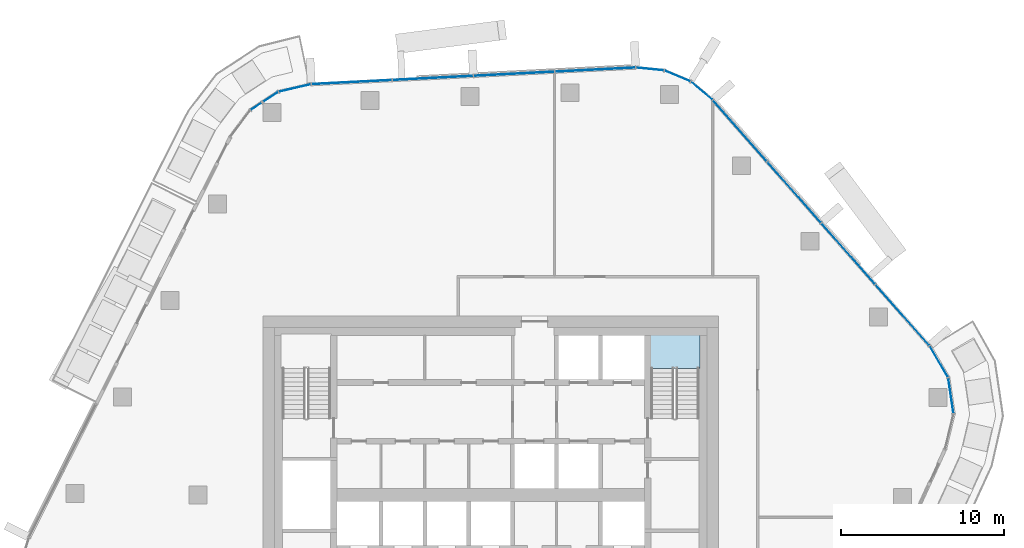
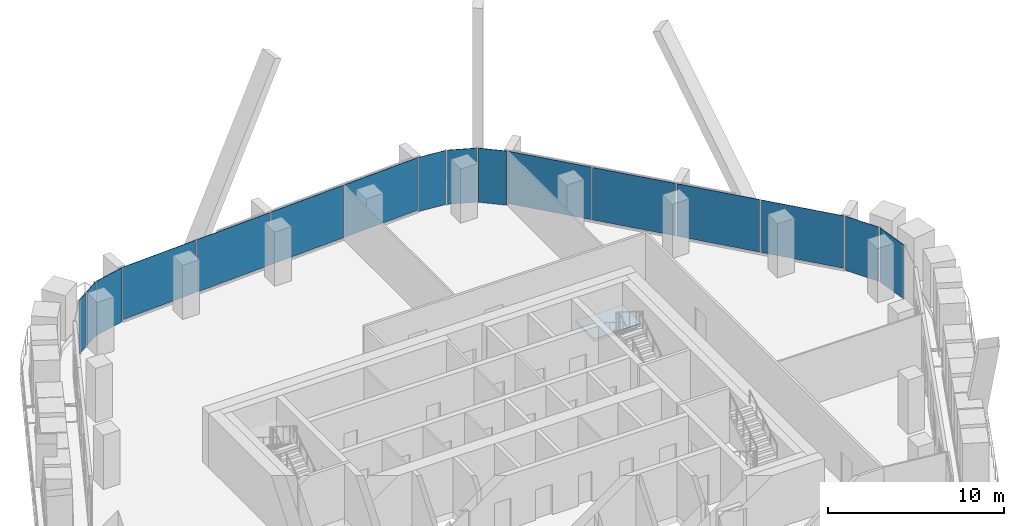
# One storey, part 9 of 20: 16 plates, 1 slab, 7 elements without a shape of their own.
"""IFC4 building model written with IfcOpenShell, lengths in metres."""

import ifcopenshell
import ifcopenshell.guid

model = None  # the IFC model being written
_history = None  # IfcOwnerHistory: only IFC2X3 demands one
_inside = {}  # id of a spatial element -> (the spatial element, [elements in it])
_under = {}  # id of a project, library or spatial element -> (it, [spatial elements below it])
_declared = {}  # id of a project -> (the project, [libraries it declares])
_typed = {}  # id of a type object -> (the type object, [elements of that type])
_made_of = {}  # id of a material, layer set ... -> (it, [elements and type objects made of it])


def new_model(schema):
    """Start an empty IFC model of exactly this schema.

    Asked for "IFC4X3", IfcOpenShell would pick the latest addendum, in which some entities
    have other attributes; the version numbers below select the first issue.
    IFC2X3 requires an IfcOwnerHistory on every rooted entity: one is made here for all.
    """
    global model, _history
    if schema == "IFC4X3":
        model = ifcopenshell.file(schema_version=(4, 3, 0, 0))
    else:
        model = ifcopenshell.file(schema=schema)
    _inside.clear()
    _under.clear()
    _declared.clear()
    _typed.clear()
    _made_of.clear()
    _history = None
    if model.schema == "IFC2X3":
        org = make("IfcOrganization", Name="unknown")
        user = make(
            "IfcPersonAndOrganization",
            ThePerson=make("IfcPerson", FamilyName="unknown"),
            TheOrganization=org,
        )
        app = make(
            "IfcApplication",
            ApplicationDeveloper=org,
            Version="unknown",
            ApplicationFullName="unknown",
            ApplicationIdentifier="unknown",
        )
        _history = make(
            "IfcOwnerHistory",
            OwningUser=user,
            OwningApplication=app,
            ChangeAction="ADDED",
            CreationDate=0,
        )
    return model


def make(cls, **values):
    """One entity of the class cls with the attributes given. An attribute that is None is left unset."""
    return model.create_entity(
        cls, **{name: value for name, value in values.items() if value is not None}
    )


def rooted(cls, **values):
    """An entity with a GlobalId (a new one), such as an element, a storey or a relation."""
    return make(cls, GlobalId=ifcopenshell.guid.new(), OwnerHistory=_history, **values)


def si_unit(unit_type, name, prefix=None):
    """IfcSIUnit, for example si_unit("LENGTHUNIT", "METRE", prefix="MILLI")."""
    return make("IfcSIUnit", UnitType=unit_type, Prefix=prefix, Name=name)


def assignment(units):
    """IfcUnitAssignment: the units of a project."""
    return None if units is None else make("IfcUnitAssignment", Units=units)


def point(xyz):
    """IfcCartesianPoint."""
    return None if xyz is None else make("IfcCartesianPoint", Coordinates=xyz)


def direction(xyz):
    """IfcDirection."""
    return None if xyz is None else make("IfcDirection", DirectionRatios=xyz)


def frame(location, z_axis=None, x_axis=None):
    """IfcAxis2Placement3D, a coordinate frame: its origin and axes. An axis left out is left unset."""
    return make(
        "IfcAxis2Placement3D",
        Location=point(location),
        Axis=direction(z_axis),
        RefDirection=direction(x_axis),
    )


def frame_2d(location, x_axis=None):
    """IfcAxis2Placement2D, a coordinate frame in the plane: its origin and x axis."""
    return make(
        "IfcAxis2Placement2D", Location=point(location), RefDirection=direction(x_axis)
    )


def origin():
    """The frame at (0, 0, 0) with its axes left unset."""
    return frame((0.0, 0.0, 0.0))


def origin_2d():
    """The frame at (0, 0) in the plane with its x axis left unset."""
    return frame_2d((0.0, 0.0))


def place(relative_to, where):
    """IfcLocalPlacement: puts the frame where relative to a parent placement (None: the world)."""
    return make(
        "IfcLocalPlacement", PlacementRelTo=relative_to, RelativePlacement=where
    )


def context(
    kind, dimensions, precision=None, world=None, true_north=None, identifier=None
):
    """IfcGeometricRepresentationContext, for example the 3D "Model" context."""
    return make(
        "IfcGeometricRepresentationContext",
        ContextIdentifier=identifier,
        ContextType=kind,
        CoordinateSpaceDimension=dimensions,
        Precision=precision,
        WorldCoordinateSystem=world,
        TrueNorth=true_north,
    )


def subcontext(parent, identifier, kind, view, scale=None):
    """IfcGeometricRepresentationSubContext, for example "Body" below "Model"."""
    return make(
        "IfcGeometricRepresentationSubContext",
        ContextIdentifier=identifier,
        ContextType=kind,
        ParentContext=parent,
        TargetScale=scale,
        TargetView=view,
    )


def project(units=None, contexts=None):
    """IfcProject with its units and contexts."""
    return rooted(
        "IfcProject",
        Name="project",
        RepresentationContexts=contexts,
        UnitsInContext=assignment(units),
    )


def spatial(cls, under=None, at=None, **own):
    """A site, building, storey or space (cls), placed at a placement, below another one or the project."""
    s = rooted(cls, ObjectPlacement=at, **own)
    if under is not None:
        _under.setdefault(under.id(), (under, []))[1].append(s)
    return s


def polyline(points):
    """IfcPolyline through the points."""
    return make("IfcPolyline", Points=[point(p) for p in points])


def profile(cls, at=None, kind="AREA", **sizes):
    """A parametric profile (cls). Its sizes go by their IFC names, for example OverallWidth=200.0."""
    return make(cls, ProfileType=kind, Position=at, **sizes)


def rectangle(**sizes):
    """IfcRectangleProfileDef."""
    return profile("IfcRectangleProfileDef", **sizes)


def outline(outer, holes=None, kind="AREA"):
    """IfcArbitraryClosedProfileDef: a profile drawn as a closed curve; with holes, ...WithVoids."""
    if holes is None:
        return make("IfcArbitraryClosedProfileDef", ProfileType=kind, OuterCurve=outer)
    return make(
        "IfcArbitraryProfileDefWithVoids",
        ProfileType=kind,
        OuterCurve=outer,
        InnerCurves=holes,
    )


def extrude(swept, where, along, depth):
    """IfcExtrudedAreaSolid: the profile swept, set in the frame where, extruded along a direction by depth."""
    return make(
        "IfcExtrudedAreaSolid",
        SweptArea=swept,
        Position=where,
        ExtrudedDirection=direction(along),
        Depth=depth,
    )


def shape(context_of_items, identifier, shape_type, items):
    """IfcShapeRepresentation: the items that make up one representation, for example the "Body"."""
    return make(
        "IfcShapeRepresentation",
        ContextOfItems=context_of_items,
        RepresentationIdentifier=identifier,
        RepresentationType=shape_type,
        Items=items,
    )


def material(Name=None, Category=None):
    """IfcMaterial."""
    return make("IfcMaterial", Name=Name, Category=Category)


def layer(
    of_material, thickness, ventilated=None, Name=None, Category=None, Priority=None
):
    """IfcMaterialLayer: one layer of a wall or slab, of a material (None: an air gap)."""
    return make(
        "IfcMaterialLayer",
        Material=of_material,
        LayerThickness=thickness,
        IsVentilated=ventilated,
        Name=Name,
        Category=Category,
        Priority=Priority,
    )


def layer_set(layers, Name=None):
    """IfcMaterialLayerSet."""
    return make("IfcMaterialLayerSet", MaterialLayers=layers, LayerSetName=Name)


def made_of(thing, what):
    """Note that an element or type object is made of a material, layer set ...; save() writes the relation."""
    if what is not None:
        _made_of.setdefault(what.id(), (what, []))[1].append(thing)
    return thing


def type_object(cls, material=None, **own):
    """A type object (cls), such as IfcWallType, which elements share."""
    return made_of(rooted(cls, **own), material)


def element(
    cls,
    number,
    at=None,
    inside=None,
    cuts=None,
    type_object=None,
    material=None,
    context=None,
    identifier="Body",
    shape_type=None,
    held_by="IfcProductDefinitionShape",
    body=None,
    shapes=None,
    **own,
):
    """One element of the class cls, such as IfcWall. Its Tag is "e" and its number.

    at: its placement. inside: the storey or other place that contains it. cuts: it is an
    opening in that element (IfcRelVoidsElement). A single representation is given by context,
    identifier, shape_type and body (its items); several are given by shapes. held_by: the class
    of the entity that holds the representations. save() writes the other relations.
    """
    e = rooted(cls, Tag="e%d" % number, ObjectPlacement=at, **own)
    if body is not None:
        shapes = [shape(context, identifier, shape_type, body)]
    if shapes is not None:
        e.Representation = make(held_by, Representations=shapes)
    if inside is not None:
        _inside.setdefault(inside.id(), (inside, []))[1].append(e)
    if cuts is not None:
        rooted(
            "IfcRelVoidsElement", RelatingBuildingElement=cuts, RelatedOpeningElement=e
        )
    if type_object is not None:
        _typed.setdefault(type_object.id(), (type_object, []))[1].append(e)
    return made_of(e, material)


def aggregate(whole, parts):
    """IfcRelAggregates: a whole, such as a stair, and the parts it consists of."""
    return rooted("IfcRelAggregates", RelatingObject=whole, RelatedObjects=parts)


def save(model, path):
    """Write the relations noted so far, then the file.

    IfcRelAggregates (storeys below a building ...), IfcRelContainedInSpatialStructure (elements
    in a storey), IfcRelDefinesByType, IfcRelAssociatesMaterial and IfcRelDeclares: one each for
    every whole, place, type object, material and project.
    """
    for whole, parts in _under.values():
        aggregate(whole, parts)
    for where, things in _inside.values():
        rooted(
            "IfcRelContainedInSpatialStructure",
            RelatedElements=things,
            RelatingStructure=where,
        )
    for kind, things in _typed.values():
        rooted("IfcRelDefinesByType", RelatedObjects=things, RelatingType=kind)
    for what, things in _made_of.values():
        rooted("IfcRelAssociatesMaterial", RelatedObjects=things, RelatingMaterial=what)
    for by, libraries in _declared.values():
        rooted("IfcRelDeclares", RelatingContext=by, RelatedDefinitions=libraries)
    model.write(path)


model = new_model("IFC4")

# Units and contexts
model_context = context("Model", 3, precision=1e-05, world=origin(), true_north=direction((0.0, 1.0)))
body_context = subcontext(model_context, "Body", "Model", "MODEL_VIEW")
ifc_project = project(units=[si_unit("LENGTHUNIT", "METRE"), si_unit("AREAUNIT", "SQUARE_METRE"), si_unit("VOLUMEUNIT", "CUBIC_METRE"), si_unit("PLANEANGLEUNIT", "RADIAN"), si_unit("MASSUNIT", "GRAM", prefix="KILO")], contexts=[model_context])

# Site, building, storey
site_placement = place(None, origin())
site = spatial("IfcSite", under=ifc_project, at=site_placement, CompositionType="ELEMENT")
building_placement = place(site_placement, origin())
building = spatial("IfcBuilding", under=site, at=building_placement, Name="Dongbaek Canopy Tower", CompositionType="ELEMENT")
storey_placement = place(building_placement, frame((0.0, 0.0, 228.60009765625)))
storey = spatial("IfcBuildingStorey", under=building, at=storey_placement, Name="L47", CompositionType="ELEMENT", Elevation=228.60009765625)

# Curtain wall, plates
ifc_material_1 = material(Name="Aluminium 6063-T6 pale anodised", Category="aluminium")
ifc_layer_1 = layer(ifc_material_1, 0.199951171875)
ifc_layer_set_1 = layer_set([ifc_layer_1], Name="CW-1 unitised tower curtain wall")
curtain_wall_type = type_object("IfcCurtainWallType", Name="CW-1 unitised tower curtain wall", PredefinedType="NOTDEFINED", material=ifc_layer_set_1)
curtain_wall_1_placement = place(storey_placement, origin())
curtain_wall_1 = element("IfcCurtainWall", 1, at=curtain_wall_1_placement, inside=storey, type_object=curtain_wall_type, Name="CW-1 curtain wall K0.1", PredefinedType="NOTDEFINED")
ifc_material_2 = material(Name="Clear laminated glass", Category="glass")
ifc_layer_2 = layer(ifc_material_2, 0.028076171875)
ifc_layer_set_2 = layer_set([ifc_layer_2], Name="CW-1 glazed panel 28")
plate_type = type_object("IfcPlateType", Name="CW-1 glazed panel 28", PredefinedType="CURTAIN_PANEL", material=ifc_layer_set_2)
plate_1_placement = place(storey_placement, frame((28.28271484375, 6.098876953125, 0.0), z_axis=(0.0, 0.0, 1.0), x_axis=(-0.146385282221, 0.989227652843, 0.0)))
plate_1 = element("IfcPlate", 2, at=plate_1_placement, type_object=plate_type, Name="CW-1 panel K0.1.2.1", PredefinedType="CURTAIN_PANEL", context=body_context, shape_type="SweptSolid", body=[
    extrude(rectangle(XDim=2.167236328125, YDim=0.028076171875, at=origin_2d()), origin(), (0.0, 0.0, 1.0), 3.75),
])
plate_2_placement = place(storey_placement, frame((27.54541015625, 8.187255859375, 0.0), z_axis=(0.0, 0.0, 1.0), x_axis=(-0.506366548722, 0.862318339325, 0.0)))
plate_2 = element("IfcPlate", 3, at=plate_2_placement, type_object=plate_type, Name="CW-1 panel K0.1.3.1", PredefinedType="CURTAIN_PANEL", context=body_context, shape_type="SweptSolid", body=[
    extrude(rectangle(XDim=2.177001953125, YDim=0.028076171875, at=origin_2d()), origin(), (0.0, 0.0, 1.0), 3.75),
])
aggregate(curtain_wall_1, [plate_1, plate_2])

curtain_wall_2_placement = place(storey_placement, origin())
curtain_wall_2 = element("IfcCurtainWall", 4, at=curtain_wall_2_placement, inside=storey, type_object=curtain_wall_type, Name="CW-1 curtain wall F0.1", PredefinedType="NOTDEFINED")
plate_3_placement = place(storey_placement, frame((25.308837890625, 11.048095703125, 0.119873046875), z_axis=(0.0, 0.0, 1.0), x_axis=(-0.661631384947, 0.749829254199, 0.0)))
plate_3 = element("IfcPlate", 5, at=plate_3_placement, type_object=plate_type, Name="CW-1 panel F0.1.1.1", PredefinedType="CURTAIN_PANEL", context=body_context, shape_type="SweptSolid", body=[
    extrude(rectangle(XDim=4.946044921875, YDim=0.028076171875, at=origin_2d()), origin(), (0.0, 0.0, 1.0), 3.6298828125),
])
plate_4_placement = place(storey_placement, frame((21.977783203125, 14.8232421875, 0.119873046875), z_axis=(0.0, 0.0, 1.0), x_axis=(-0.661631384947, 0.749829254199, 0.0)))
plate_4 = element("IfcPlate", 6, at=plate_4_placement, type_object=plate_type, Name="CW-1 panel F0.1.2.1", PredefinedType="CURTAIN_PANEL", context=body_context, shape_type="SweptSolid", body=[
    extrude(rectangle(XDim=4.95556640625, YDim=0.028076171875, at=origin_2d()), origin(), (0.0, 0.0, 1.0), 3.6298828125),
])
plate_5_placement = place(storey_placement, frame((18.643310546875, 18.60205078125, 0.119873046875), z_axis=(0.0, 0.0, 1.0), x_axis=(-0.661631384947, 0.749829254199, 0.0)))
plate_5 = element("IfcPlate", 7, at=plate_5_placement, type_object=plate_type, Name="CW-1 panel F0.1.3.1", PredefinedType="CURTAIN_PANEL", context=body_context, shape_type="SweptSolid", body=[
    extrude(rectangle(XDim=4.95556640625, YDim=0.028076171875, at=origin_2d()), origin(), (0.0, 0.0, 1.0), 3.6298828125),
])
plate_6_placement = place(storey_placement, frame((15.3115234375, 22.378173828125, 0.119873046875), z_axis=(0.0, 0.0, 1.0), x_axis=(-0.661631384947, 0.749829254199, 0.0)))
plate_6 = element("IfcPlate", 8, at=plate_6_placement, type_object=plate_type, Name="CW-1 panel F0.1.4.1", PredefinedType="CURTAIN_PANEL", context=body_context, shape_type="SweptSolid", body=[
    extrude(rectangle(XDim=4.947998046875, YDim=0.028076171875, at=origin_2d()), origin(), (0.0, 0.0, 1.0), 3.6298828125),
])
aggregate(curtain_wall_2, [plate_3, plate_4, plate_5, plate_6])

curtain_wall_3_placement = place(storey_placement, origin())
curtain_wall_3 = element("IfcCurtainWall", 9, at=curtain_wall_3_placement, inside=storey, type_object=curtain_wall_type, Name="CW-1 curtain wall K1.1", PredefinedType="NOTDEFINED")
plate_7_placement = place(storey_placement, frame((12.96923828125, 24.8330078125, 0.0), z_axis=(0.0, 0.0, 1.0), x_axis=(-0.766147720416, 0.642664508512, 0.0)))
plate_7 = element("IfcPlate", 10, at=plate_7_placement, type_object=plate_type, Name="CW-1 panel K1.1.1.1", PredefinedType="CURTAIN_PANEL", context=body_context, shape_type="SweptSolid", body=[
    extrude(rectangle(XDim=1.6845703125, YDim=0.028076171875, at=origin_2d()), origin(), (0.0, 0.0, 1.0), 3.75),
])
plate_8_placement = place(storey_placement, frame((11.480224609375, 25.742919921875, 0.0), z_axis=(0.0, 0.0, 1.0), x_axis=(-0.921719697186, 0.387856674326, 0.0)))
plate_8 = element("IfcPlate", 11, at=plate_8_placement, type_object=plate_type, Name="CW-1 panel K1.1.2.1", PredefinedType="CURTAIN_PANEL", context=body_context, shape_type="SweptSolid", body=[
    extrude(rectangle(XDim=1.677001953125, YDim=0.028076171875, at=origin_2d()), origin(), (0.0, 0.0, 1.0), 3.75),
])
plate_9_placement = place(storey_placement, frame((9.78857421875, 26.171630859375, 0.0), z_axis=(0.0, 0.0, 1.0), x_axis=(-0.995139099374, 0.098479301867, 0.0)))
plate_9 = element("IfcPlate", 12, at=plate_9_placement, type_object=plate_type, Name="CW-1 panel K1.1.3.1", PredefinedType="CURTAIN_PANEL", context=body_context, shape_type="SweptSolid", body=[
    extrude(rectangle(XDim=1.6845703125, YDim=0.028076171875, at=origin_2d()), origin(), (0.0, 0.0, 1.0), 3.75),
])
aggregate(curtain_wall_3, [plate_7, plate_8, plate_9])

curtain_wall_4_placement = place(storey_placement, origin())
curtain_wall_4 = element("IfcCurtainWall", 13, at=curtain_wall_4_placement, inside=storey, type_object=curtain_wall_type, Name="CW-1 curtain wall F1.1", PredefinedType="NOTDEFINED")
plate_10_placement = place(storey_placement, frame((6.418701171875, 26.131103515625, 0.119873046875), z_axis=(0.0, 0.0, 1.0), x_axis=(-0.998689884607, -0.051171421559, 0.0)))
plate_10 = element("IfcPlate", 14, at=plate_10_placement, type_object=plate_type, Name="CW-1 panel F1.1.1.1", PredefinedType="CURTAIN_PANEL", context=body_context, shape_type="SweptSolid", body=[
    extrude(rectangle(XDim=4.90234375, YDim=0.028076171875, at=origin_2d()), origin(), (0.0, 0.0, 1.0), 3.6298828125),
])
plate_11_placement = place(storey_placement, frame((1.43505859375, 25.875732421875, 0.119873046875), z_axis=(0.0, 0.0, 1.0), x_axis=(-0.998689884607, -0.051171421559, 0.0)))
plate_11 = element("IfcPlate", 15, at=plate_11_placement, type_object=plate_type, Name="CW-1 panel F1.1.2.1", PredefinedType="CURTAIN_PANEL", context=body_context, shape_type="SweptSolid", body=[
    extrude(rectangle(XDim=4.90966796875, YDim=0.028076171875, at=origin_2d()), origin(), (0.0, 0.0, 1.0), 3.6298828125),
])
plate_12_placement = place(storey_placement, frame((-3.552001953125, 25.6201171875, 0.119873046875), z_axis=(0.0, 0.0, 1.0), x_axis=(-0.998689884607, -0.051171421559, 0.0)))
plate_12 = element("IfcPlate", 16, at=plate_12_placement, type_object=plate_type, Name="CW-1 panel F1.1.3.1", PredefinedType="CURTAIN_PANEL", context=body_context, shape_type="SweptSolid", body=[
    extrude(rectangle(XDim=4.90966796875, YDim=0.028076171875, at=origin_2d()), origin(), (0.0, 0.0, 1.0), 3.6298828125),
])
plate_13_placement = place(storey_placement, frame((-8.534912109375, 25.36474609375, 0.119873046875), z_axis=(0.0, 0.0, 1.0), x_axis=(-0.998689884607, -0.051171421559, 0.0)))
plate_13 = element("IfcPlate", 17, at=plate_13_placement, type_object=plate_type, Name="CW-1 panel F1.1.4.1", PredefinedType="CURTAIN_PANEL", context=body_context, shape_type="SweptSolid", body=[
    extrude(rectangle(XDim=4.90087890625, YDim=0.028076171875, at=origin_2d()), origin(), (0.0, 0.0, 1.0), 3.6298828125),
])
aggregate(curtain_wall_4, [plate_10, plate_11, plate_12, plate_13])

curtain_wall_5_placement = place(storey_placement, origin())
curtain_wall_5 = element("IfcCurtainWall", 18, at=curtain_wall_5_placement, inside=storey, type_object=curtain_wall_type, Name="CW-1 curtain wall K2.1a", PredefinedType="NOTDEFINED")
plate_14_placement = place(storey_placement, frame((-12.032958984375, 25.00439453125, 0.0), z_axis=(0.0, 0.0, 1.0), x_axis=(-0.974375156236, -0.224928999708, 0.0)))
plate_14 = element("IfcPlate", 19, at=plate_14_placement, type_object=plate_type, Name="CW-1 panel K2.1a.1.1", PredefinedType="CURTAIN_PANEL", context=body_context, shape_type="SweptSolid", body=[
    extrude(rectangle(XDim=1.98681640625, YDim=0.028076171875, at=origin_2d()), origin(), (0.0, 0.0, 1.0), 3.75),
])
plate_15_placement = place(storey_placement, frame((-13.51806640625, 24.460693359375, 0.0), z_axis=(0.0, 0.0, 1.0), x_axis=(-0.83743519792, -0.546536631238, 0.0)))
plate_15 = element("IfcPlate", 20, at=plate_15_placement, type_object=plate_type, Name="CW-1 panel K2.1a.2.1", PredefinedType="CURTAIN_PANEL", context=body_context, shape_type="SweptSolid", body=[
    extrude(rectangle(XDim=1.053466796875, YDim=0.028076171875, at=origin_2d()), origin(), (0.0, 0.0, 1.0), 3.75),
])
aggregate(curtain_wall_5, [plate_14, plate_15])

# Curtain wall, plate
curtain_wall_6_placement = place(storey_placement, origin())
curtain_wall_6 = element("IfcCurtainWall", 21, at=curtain_wall_6_placement, inside=storey, type_object=curtain_wall_type, Name="CW-1 curtain wall K2.1b", PredefinedType="NOTDEFINED")
plate_16_placement = place(storey_placement, frame((-14.415771484375, 23.874755859375, 0.0), z_axis=(0.0, 0.0, 1.0), x_axis=(-0.83743519792, -0.546536631238, 0.0)))
plate_16 = element("IfcPlate", 22, at=plate_16_placement, type_object=plate_type, Name="CW-1 panel K2.1b.1.1", PredefinedType="CURTAIN_PANEL", context=body_context, shape_type="SweptSolid", body=[
    extrude(rectangle(XDim=0.75830078125, YDim=0.028076171875, at=origin_2d()), origin(), (0.0, 0.0, 1.0), 3.75),
])
aggregate(curtain_wall_6, [plate_16])

# Stair, slab
ifc_material_3 = material(Name="Concrete C40/50", Category="concrete")
stair_type = type_object("IfcStairType", Name="Core exit stair", PredefinedType="HALF_TURN_STAIR", material=ifc_material_3)
stair_placement = place(storey_placement, origin())
stair = element("IfcStair", 23, at=stair_placement, inside=storey, type_object=stair_type, Name="L47 exit stair A", PredefinedType="HALF_TURN_STAIR")
ifc_material_4 = material(Name="Concrete C40/50", Category="concrete")
ifc_layer_3 = layer(ifc_material_4, 0.199951171875)
ifc_layer_set_3 = layer_set([ifc_layer_3], Name="Core stair landing 200")
slab_type = type_object("IfcSlabType", Name="Core stair landing 200", PredefinedType="LANDING", material=ifc_layer_set_3)
slab_placement = place(storey_placement, frame((0.0, 0.0, 1.89990234375)))
slab = element("IfcSlab", 24, at=slab_placement, type_object=slab_type, Name="ST-A landing 1", PredefinedType="LANDING", context=body_context, shape_type="SweptSolid", body=[
    extrude(outline(polyline([(12.875, 7.780029296875), (12.875, 9.875), (9.77490234375, 9.875), (9.77490234375, 7.780029296875), (12.875, 7.780029296875)])), origin(), (0.0, 0.0, 1.0), 0.199951171875),
])
aggregate(stair, [slab])

save(model, "model.ifc")
